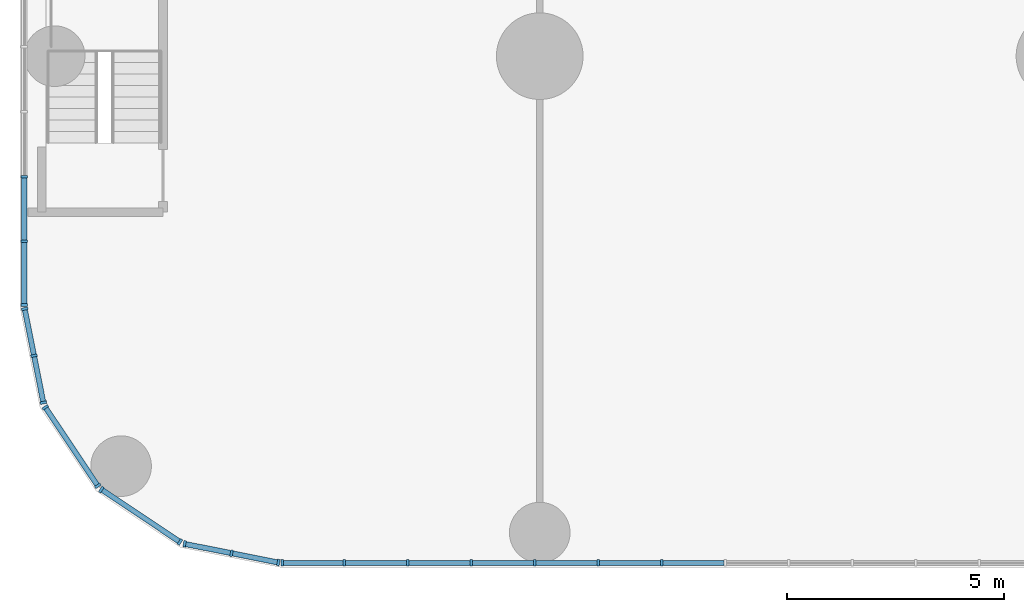
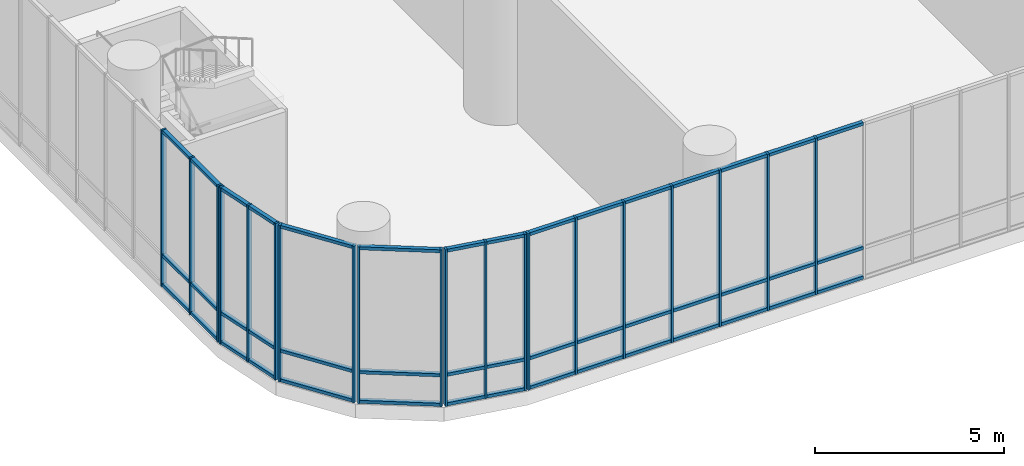
# One storey, part 2 of 28: 65 members, 6 elements without a shape of their own.
"""IFC4 building model written with IfcOpenShell, lengths in metres."""

from ifc_helpers import new_model, si_unit, direction, frame, origin, origin_2d, place, context, subcontext, project, spatial, rectangle, extrude, material, layer, layer_set, material_profile, profile_set, type_object, element, aggregate, save


model = new_model("IFC4")

# Units and contexts
model_context = context("Model", 3, precision=1e-05, world=origin(), true_north=direction((0.0, 1.0)))
body_context = subcontext(model_context, "Body", "Model", "MODEL_VIEW")
ifc_project = project(units=[si_unit("LENGTHUNIT", "METRE"), si_unit("AREAUNIT", "SQUARE_METRE"), si_unit("VOLUMEUNIT", "CUBIC_METRE"), si_unit("PLANEANGLEUNIT", "RADIAN"), si_unit("MASSUNIT", "GRAM", prefix="KILO")], contexts=[model_context])

# Site, building, storey
site_placement = place(None, origin())
site = spatial("IfcSite", under=ifc_project, at=site_placement, CompositionType="ELEMENT")
building_placement = place(site_placement, origin())
building = spatial("IfcBuilding", under=site, at=building_placement, Name="Torana Hotel and Residences", CompositionType="ELEMENT")
storey_placement = place(building_placement, frame((0.0, 0.0, 7.0)))
storey = spatial("IfcBuildingStorey", under=building, at=storey_placement, Name="L01", CompositionType="ELEMENT", Elevation=7.0)

# Curtain wall, members
ifc_material_1 = material(Name="Dark anodised aluminium", Category="aluminium")
ifc_layer = layer(ifc_material_1, 0.14990234375)
ifc_layer_set = layer_set([ifc_layer], Name="CW5 PODIUM UPPER UNITISED CURTAIN WALL")
curtain_wall_type = type_object("IfcCurtainWallType", Name="CW5 PODIUM UPPER UNITISED CURTAIN WALL", PredefinedType="NOTDEFINED", material=ifc_layer_set)
curtain_wall_1_placement = place(storey_placement, origin())
curtain_wall_1 = element("IfcCurtainWall", 1, at=curtain_wall_1_placement, inside=storey, type_object=curtain_wall_type, Name="Curtain wall CW5 L01 e0.0", PredefinedType="NOTDEFINED")
ifc_material_2 = material(Name="Dark anodised aluminium", Category="aluminium")
ifc_material_profile_1 = material_profile(ifc_material_2, rectangle(XDim=0.14990234375, YDim=0.06005859375, at=origin_2d()), Name="CW5 MULLION 60x150")
ifc_profile_set_1 = profile_set([ifc_material_profile_1], Name="Dark anodised aluminium")
member_type_1 = type_object("IfcMemberType", Name="CW5 MULLION 60x150", PredefinedType="MULLION", material=ifc_profile_set_1)
member_1_placement = place(storey_placement, frame((-41.9453125, -39.89990234375, 0.0), z_axis=(0.0, 0.0, 1.0), x_axis=(0.0, 1.0, 0.0)))
member_1 = element("IfcMember", 2, at=member_1_placement, type_object=member_type_1, Name="CW5 mullion 1", PredefinedType="MULLION", context=body_context, shape_type="SweptSolid", body=[
    extrude(rectangle(XDim=0.14990234375, YDim=0.06005859375, at=origin_2d()), origin(), (0.0, 0.0, 1.0), 5.050048828125),
])
member_2_placement = place(storey_placement, frame((-40.510009765625, -39.89990234375, 0.0), z_axis=(0.0, 0.0, 1.0), x_axis=(0.0, 1.0, 0.0)))
member_2 = element("IfcMember", 3, at=member_2_placement, type_object=member_type_1, Name="CW5 mullion 2", PredefinedType="MULLION", context=body_context, shape_type="SweptSolid", body=[
    extrude(rectangle(XDim=0.14990234375, YDim=0.06005859375, at=origin_2d()), origin(), (0.0, 0.0, 1.0), 5.050048828125),
])
member_3_placement = place(storey_placement, frame((-39.04443359375, -39.89990234375, 0.0), z_axis=(0.0, 0.0, 1.0), x_axis=(0.0, 1.0, 0.0)))
member_3 = element("IfcMember", 4, at=member_3_placement, type_object=member_type_1, Name="CW5 mullion 3", PredefinedType="MULLION", context=body_context, shape_type="SweptSolid", body=[
    extrude(rectangle(XDim=0.14990234375, YDim=0.06005859375, at=origin_2d()), origin(), (0.0, 0.0, 1.0), 5.050048828125),
])
member_4_placement = place(storey_placement, frame((-37.578857421875, -39.89990234375, 0.0), z_axis=(0.0, 0.0, 1.0), x_axis=(0.0, 1.0, 0.0)))
member_4 = element("IfcMember", 5, at=member_4_placement, type_object=member_type_1, Name="CW5 mullion 4", PredefinedType="MULLION", context=body_context, shape_type="SweptSolid", body=[
    extrude(rectangle(XDim=0.14990234375, YDim=0.06005859375, at=origin_2d()), origin(), (0.0, 0.0, 1.0), 5.050048828125),
])
member_5_placement = place(storey_placement, frame((-36.113525390625, -39.89990234375, 0.0), z_axis=(0.0, 0.0, 1.0), x_axis=(0.0, 1.0, 0.0)))
member_5 = element("IfcMember", 6, at=member_5_placement, type_object=member_type_1, Name="CW5 mullion 5", PredefinedType="MULLION", context=body_context, shape_type="SweptSolid", body=[
    extrude(rectangle(XDim=0.14990234375, YDim=0.06005859375, at=origin_2d()), origin(), (0.0, 0.0, 1.0), 5.050048828125),
])
member_6_placement = place(storey_placement, frame((-34.64794921875, -39.89990234375, 0.0), z_axis=(0.0, 0.0, 1.0), x_axis=(0.0, 1.0, 0.0)))
member_6 = element("IfcMember", 7, at=member_6_placement, type_object=member_type_1, Name="CW5 mullion 6", PredefinedType="MULLION", context=body_context, shape_type="SweptSolid", body=[
    extrude(rectangle(XDim=0.14990234375, YDim=0.06005859375, at=origin_2d()), origin(), (0.0, 0.0, 1.0), 5.050048828125),
])
member_7_placement = place(storey_placement, frame((-33.182373046875, -39.89990234375, 0.0), z_axis=(0.0, 0.0, 1.0), x_axis=(0.0, 1.0, 0.0)))
member_7 = element("IfcMember", 8, at=member_7_placement, type_object=member_type_1, Name="CW5 mullion 7", PredefinedType="MULLION", context=body_context, shape_type="SweptSolid", body=[
    extrude(rectangle(XDim=0.14990234375, YDim=0.06005859375, at=origin_2d()), origin(), (0.0, 0.0, 1.0), 5.050048828125),
])

curtain_wall_2_placement = place(storey_placement, origin())
curtain_wall_2 = element("IfcCurtainWall", 9, at=curtain_wall_2_placement, inside=storey, type_object=curtain_wall_type, Name="Curtain wall CW5 L01 e0.7", PredefinedType="NOTDEFINED")
member_8_placement = place(storey_placement, frame((-47.89990234375, -30.9794921875, 0.0), z_axis=(0.0, 0.0, 1.0), x_axis=(1.0, 0.0, 0.0)))
member_8 = element("IfcMember", 10, at=member_8_placement, type_object=member_type_1, Name="CW5 mullion 23", PredefinedType="MULLION", context=body_context, shape_type="SweptSolid", body=[
    extrude(rectangle(XDim=0.14990234375, YDim=0.06005859375, at=origin_2d()), origin(), (0.0, 0.0, 1.0), 5.050048828125),
])
member_9_placement = place(storey_placement, frame((-47.89990234375, -32.4775390625, 0.0), z_axis=(0.0, 0.0, 1.0), x_axis=(1.0, 0.0, 0.0)))
member_9 = element("IfcMember", 11, at=member_9_placement, type_object=member_type_1, Name="CW5 mullion 24", PredefinedType="MULLION", context=body_context, shape_type="SweptSolid", body=[
    extrude(rectangle(XDim=0.14990234375, YDim=0.06005859375, at=origin_2d()), origin(), (0.0, 0.0, 1.0), 5.050048828125),
])
member_10_placement = place(storey_placement, frame((-47.89990234375, -33.9453125, 0.0), z_axis=(0.0, 0.0, 1.0), x_axis=(1.0, 0.0, 0.0)))
member_10 = element("IfcMember", 12, at=member_10_placement, type_object=member_type_1, Name="CW5 mullion 25", PredefinedType="MULLION", context=body_context, shape_type="SweptSolid", body=[
    extrude(rectangle(XDim=0.14990234375, YDim=0.06005859375, at=origin_2d()), origin(), (0.0, 0.0, 1.0), 5.050048828125),
])

curtain_wall_3_placement = place(storey_placement, origin())
curtain_wall_3 = element("IfcCurtainWall", 13, at=curtain_wall_3_placement, inside=storey, type_object=curtain_wall_type, Name="Curtain wall CW5 L01 e0.8", PredefinedType="NOTDEFINED")
member_11_placement = place(storey_placement, frame((-47.891357421875, -34.033935546875, 0.0), z_axis=(0.0, 0.0, 1.0), x_axis=(0.980787135335, 0.195080996415, 0.0)))
member_11 = element("IfcMember", 14, at=member_11_placement, type_object=member_type_1, Name="CW5 mullion 1", PredefinedType="MULLION", context=body_context, shape_type="SweptSolid", body=[
    extrude(rectangle(XDim=0.14990234375, YDim=0.06005859375, at=origin_2d()), origin(), (0.0, 0.0, 1.0), 5.050048828125),
])
member_12_placement = place(storey_placement, frame((-47.676025390625, -35.1162109375, 0.0), z_axis=(0.0, 0.0, 1.0), x_axis=(0.980787135335, 0.195080996415, 0.0)))
member_12 = element("IfcMember", 15, at=member_12_placement, type_object=member_type_1, Name="CW5 mullion 2", PredefinedType="MULLION", context=body_context, shape_type="SweptSolid", body=[
    extrude(rectangle(XDim=0.14990234375, YDim=0.06005859375, at=origin_2d()), origin(), (0.0, 0.0, 1.0), 5.050048828125),
])
member_13_placement = place(storey_placement, frame((-47.460693359375, -36.198486328125, 0.0), z_axis=(0.0, 0.0, 1.0), x_axis=(0.980787135335, 0.195080996415, 0.0)))
member_13 = element("IfcMember", 16, at=member_13_placement, type_object=member_type_1, Name="CW5 mullion 3", PredefinedType="MULLION", context=body_context, shape_type="SweptSolid", body=[
    extrude(rectangle(XDim=0.14990234375, YDim=0.06005859375, at=origin_2d()), origin(), (0.0, 0.0, 1.0), 5.050048828125),
])

curtain_wall_4_placement = place(storey_placement, origin())
curtain_wall_4 = element("IfcCurtainWall", 17, at=curtain_wall_4_placement, inside=storey, type_object=curtain_wall_type, Name="Curtain wall CW5 L01 e0.9", PredefinedType="NOTDEFINED")
member_14_placement = place(storey_placement, frame((-47.415771484375, -36.306884765625, 0.0), z_axis=(0.0, 0.0, 1.0), x_axis=(0.831459585616, 0.555585238723, 0.0)))
member_14 = element("IfcMember", 18, at=member_14_placement, type_object=member_type_1, Name="CW5 mullion 1", PredefinedType="MULLION", context=body_context, shape_type="SweptSolid", body=[
    extrude(rectangle(XDim=0.14990234375, YDim=0.06005859375, at=origin_2d()), origin(), (0.0, 0.0, 1.0), 5.050048828125),
])
member_15_placement = place(storey_placement, frame((-46.203857421875, -38.120849609375, 0.0), z_axis=(0.0, 0.0, 1.0), x_axis=(0.831459585616, 0.555585238723, 0.0)))
member_15 = element("IfcMember", 19, at=member_15_placement, type_object=member_type_1, Name="CW5 mullion 2", PredefinedType="MULLION", context=body_context, shape_type="SweptSolid", body=[
    extrude(rectangle(XDim=0.14990234375, YDim=0.06005859375, at=origin_2d()), origin(), (0.0, 0.0, 1.0), 5.050048828125),
])

curtain_wall_5_placement = place(storey_placement, origin())
curtain_wall_5 = element("IfcCurtainWall", 20, at=curtain_wall_5_placement, inside=storey, type_object=curtain_wall_type, Name="Curtain wall CW5 L01 e0.10", PredefinedType="NOTDEFINED")
member_16_placement = place(storey_placement, frame((-46.120849609375, -38.203857421875, 0.0), z_axis=(0.0, 0.0, 1.0), x_axis=(0.555585238723, 0.831459585616, 0.0)))
member_16 = element("IfcMember", 21, at=member_16_placement, type_object=member_type_1, Name="CW5 mullion 1", PredefinedType="MULLION", context=body_context, shape_type="SweptSolid", body=[
    extrude(rectangle(XDim=0.14990234375, YDim=0.06005859375, at=origin_2d()), origin(), (0.0, 0.0, 1.0), 5.050048828125),
])
member_17_placement = place(storey_placement, frame((-44.306884765625, -39.415771484375, 0.0), z_axis=(0.0, 0.0, 1.0), x_axis=(0.555585238723, 0.831459585616, 0.0)))
member_17 = element("IfcMember", 22, at=member_17_placement, type_object=member_type_1, Name="CW5 mullion 2", PredefinedType="MULLION", context=body_context, shape_type="SweptSolid", body=[
    extrude(rectangle(XDim=0.14990234375, YDim=0.06005859375, at=origin_2d()), origin(), (0.0, 0.0, 1.0), 5.050048828125),
])

curtain_wall_6_placement = place(storey_placement, origin())
curtain_wall_6 = element("IfcCurtainWall", 23, at=curtain_wall_6_placement, inside=storey, type_object=curtain_wall_type, Name="Curtain wall CW5 L01 e0.11", PredefinedType="NOTDEFINED")
member_18_placement = place(storey_placement, frame((-44.198486328125, -39.460693359375, 0.0), z_axis=(0.0, 0.0, 1.0), x_axis=(0.195080996415, 0.980787135335, 0.0)))
member_18 = element("IfcMember", 24, at=member_18_placement, type_object=member_type_1, Name="CW5 mullion 1", PredefinedType="MULLION", context=body_context, shape_type="SweptSolid", body=[
    extrude(rectangle(XDim=0.14990234375, YDim=0.06005859375, at=origin_2d()), origin(), (0.0, 0.0, 1.0), 5.050048828125),
])
member_19_placement = place(storey_placement, frame((-43.1162109375, -39.676025390625, 0.0), z_axis=(0.0, 0.0, 1.0), x_axis=(0.195080996415, 0.980787135335, 0.0)))
member_19 = element("IfcMember", 25, at=member_19_placement, type_object=member_type_1, Name="CW5 mullion 2", PredefinedType="MULLION", context=body_context, shape_type="SweptSolid", body=[
    extrude(rectangle(XDim=0.14990234375, YDim=0.06005859375, at=origin_2d()), origin(), (0.0, 0.0, 1.0), 5.050048828125),
])
member_20_placement = place(storey_placement, frame((-42.033935546875, -39.891357421875, 0.0), z_axis=(0.0, 0.0, 1.0), x_axis=(0.195080996415, 0.980787135335, 0.0)))
member_20 = element("IfcMember", 26, at=member_20_placement, type_object=member_type_1, Name="CW5 mullion 3", PredefinedType="MULLION", context=body_context, shape_type="SweptSolid", body=[
    extrude(rectangle(XDim=0.14990234375, YDim=0.06005859375, at=origin_2d()), origin(), (0.0, 0.0, 1.0), 5.050048828125),
])

# Member
ifc_material_3 = material(Name="Dark anodised aluminium", Category="aluminium")
ifc_material_profile_2 = material_profile(ifc_material_3, rectangle(XDim=0.1201171875, YDim=0.10009765625, at=origin_2d()), Name="CW5 TRANSOM 120x100")
ifc_profile_set_2 = profile_set([ifc_material_profile_2], Name="Dark anodised aluminium")
member_type_2 = type_object("IfcMemberType", Name="CW5 TRANSOM 120x100", PredefinedType="USERDEFINED", material=ifc_profile_set_2)
member_21_placement = place(storey_placement, frame((-41.915283203125, -39.89990234375, 0.050048828125), z_axis=(1.0, 0.0, 0.0), x_axis=(0.0, 1.0, 0.0)))
member_21 = element("IfcMember", 27, at=member_21_placement, type_object=member_type_2, Name="CW5 transom 1.1", ObjectType="TRANSOM", PredefinedType="USERDEFINED", context=body_context, shape_type="SweptSolid", body=[
    extrude(rectangle(XDim=0.1201171875, YDim=0.10009765625, at=origin_2d()), origin(), (0.0, 0.0, 1.0), 1.37548828125),
])

member_22_placement = place(storey_placement, frame((-41.915283203125, -39.89990234375, 1.0), z_axis=(1.0, 0.0, 0.0), x_axis=(0.0, 1.0, 0.0)))
member_22 = element("IfcMember", 28, at=member_22_placement, type_object=member_type_2, Name="CW5 transom 1.2", ObjectType="TRANSOM", PredefinedType="USERDEFINED", context=body_context, shape_type="SweptSolid", body=[
    extrude(rectangle(XDim=0.1201171875, YDim=0.10009765625, at=origin_2d()), origin(), (0.0, 0.0, 1.0), 1.37548828125),
])

member_23_placement = place(storey_placement, frame((-41.915283203125, -39.89990234375, 5.0), z_axis=(1.0, 0.0, 0.0), x_axis=(0.0, 1.0, 0.0)))
member_23 = element("IfcMember", 29, at=member_23_placement, type_object=member_type_2, Name="CW5 transom 1.3", ObjectType="TRANSOM", PredefinedType="USERDEFINED", context=body_context, shape_type="SweptSolid", body=[
    extrude(rectangle(XDim=0.1201171875, YDim=0.10009765625, at=origin_2d()), origin(), (0.0, 0.0, 1.0), 1.37548828125),
])

member_24_placement = place(storey_placement, frame((-40.47998046875, -39.89990234375, 0.050048828125), z_axis=(1.0, 0.0, 0.0), x_axis=(0.0, 1.0, 0.0)))
member_24 = element("IfcMember", 30, at=member_24_placement, type_object=member_type_2, Name="CW5 transom 2.1", ObjectType="TRANSOM", PredefinedType="USERDEFINED", context=body_context, shape_type="SweptSolid", body=[
    extrude(rectangle(XDim=0.1201171875, YDim=0.10009765625, at=origin_2d()), origin(), (0.0, 0.0, 1.0), 1.405517578125),
])

member_25_placement = place(storey_placement, frame((-40.47998046875, -39.89990234375, 1.0), z_axis=(1.0, 0.0, 0.0), x_axis=(0.0, 1.0, 0.0)))
member_25 = element("IfcMember", 31, at=member_25_placement, type_object=member_type_2, Name="CW5 transom 2.2", ObjectType="TRANSOM", PredefinedType="USERDEFINED", context=body_context, shape_type="SweptSolid", body=[
    extrude(rectangle(XDim=0.1201171875, YDim=0.10009765625, at=origin_2d()), origin(), (0.0, 0.0, 1.0), 1.405517578125),
])

member_26_placement = place(storey_placement, frame((-40.47998046875, -39.89990234375, 5.0), z_axis=(1.0, 0.0, 0.0), x_axis=(0.0, 1.0, 0.0)))
member_26 = element("IfcMember", 32, at=member_26_placement, type_object=member_type_2, Name="CW5 transom 2.3", ObjectType="TRANSOM", PredefinedType="USERDEFINED", context=body_context, shape_type="SweptSolid", body=[
    extrude(rectangle(XDim=0.1201171875, YDim=0.10009765625, at=origin_2d()), origin(), (0.0, 0.0, 1.0), 1.405517578125),
])

member_27_placement = place(storey_placement, frame((-39.014404296875, -39.89990234375, 0.050048828125), z_axis=(1.0, 0.0, 0.0), x_axis=(0.0, 1.0, 0.0)))
member_27 = element("IfcMember", 33, at=member_27_placement, type_object=member_type_2, Name="CW5 transom 3.1", ObjectType="TRANSOM", PredefinedType="USERDEFINED", context=body_context, shape_type="SweptSolid", body=[
    extrude(rectangle(XDim=0.1201171875, YDim=0.10009765625, at=origin_2d()), origin(), (0.0, 0.0, 1.0), 1.405517578125),
])

member_28_placement = place(storey_placement, frame((-39.014404296875, -39.89990234375, 1.0), z_axis=(1.0, 0.0, 0.0), x_axis=(0.0, 1.0, 0.0)))
member_28 = element("IfcMember", 34, at=member_28_placement, type_object=member_type_2, Name="CW5 transom 3.2", ObjectType="TRANSOM", PredefinedType="USERDEFINED", context=body_context, shape_type="SweptSolid", body=[
    extrude(rectangle(XDim=0.1201171875, YDim=0.10009765625, at=origin_2d()), origin(), (0.0, 0.0, 1.0), 1.405517578125),
])

member_29_placement = place(storey_placement, frame((-39.014404296875, -39.89990234375, 5.0), z_axis=(1.0, 0.0, 0.0), x_axis=(0.0, 1.0, 0.0)))
member_29 = element("IfcMember", 35, at=member_29_placement, type_object=member_type_2, Name="CW5 transom 3.3", ObjectType="TRANSOM", PredefinedType="USERDEFINED", context=body_context, shape_type="SweptSolid", body=[
    extrude(rectangle(XDim=0.1201171875, YDim=0.10009765625, at=origin_2d()), origin(), (0.0, 0.0, 1.0), 1.405517578125),
])

member_30_placement = place(storey_placement, frame((-37.548828125, -39.89990234375, 0.050048828125), z_axis=(1.0, 0.0, 0.0), x_axis=(0.0, 1.0, 0.0)))
member_30 = element("IfcMember", 36, at=member_30_placement, type_object=member_type_2, Name="CW5 transom 4.1", ObjectType="TRANSOM", PredefinedType="USERDEFINED", context=body_context, shape_type="SweptSolid", body=[
    extrude(rectangle(XDim=0.1201171875, YDim=0.10009765625, at=origin_2d()), origin(), (0.0, 0.0, 1.0), 1.405517578125),
])

member_31_placement = place(storey_placement, frame((-37.548828125, -39.89990234375, 1.0), z_axis=(1.0, 0.0, 0.0), x_axis=(0.0, 1.0, 0.0)))
member_31 = element("IfcMember", 37, at=member_31_placement, type_object=member_type_2, Name="CW5 transom 4.2", ObjectType="TRANSOM", PredefinedType="USERDEFINED", context=body_context, shape_type="SweptSolid", body=[
    extrude(rectangle(XDim=0.1201171875, YDim=0.10009765625, at=origin_2d()), origin(), (0.0, 0.0, 1.0), 1.405517578125),
])

member_32_placement = place(storey_placement, frame((-37.548828125, -39.89990234375, 5.0), z_axis=(1.0, 0.0, 0.0), x_axis=(0.0, 1.0, 0.0)))
member_32 = element("IfcMember", 38, at=member_32_placement, type_object=member_type_2, Name="CW5 transom 4.3", ObjectType="TRANSOM", PredefinedType="USERDEFINED", context=body_context, shape_type="SweptSolid", body=[
    extrude(rectangle(XDim=0.1201171875, YDim=0.10009765625, at=origin_2d()), origin(), (0.0, 0.0, 1.0), 1.405517578125),
])

member_33_placement = place(storey_placement, frame((-36.08349609375, -39.89990234375, 0.050048828125), z_axis=(1.0, 0.0, 0.0), x_axis=(0.0, 1.0, 0.0)))
member_33 = element("IfcMember", 39, at=member_33_placement, type_object=member_type_2, Name="CW5 transom 5.1", ObjectType="TRANSOM", PredefinedType="USERDEFINED", context=body_context, shape_type="SweptSolid", body=[
    extrude(rectangle(XDim=0.1201171875, YDim=0.10009765625, at=origin_2d()), origin(), (0.0, 0.0, 1.0), 1.405517578125),
])

member_34_placement = place(storey_placement, frame((-36.08349609375, -39.89990234375, 1.0), z_axis=(1.0, 0.0, 0.0), x_axis=(0.0, 1.0, 0.0)))
member_34 = element("IfcMember", 40, at=member_34_placement, type_object=member_type_2, Name="CW5 transom 5.2", ObjectType="TRANSOM", PredefinedType="USERDEFINED", context=body_context, shape_type="SweptSolid", body=[
    extrude(rectangle(XDim=0.1201171875, YDim=0.10009765625, at=origin_2d()), origin(), (0.0, 0.0, 1.0), 1.405517578125),
])

member_35_placement = place(storey_placement, frame((-36.08349609375, -39.89990234375, 5.0), z_axis=(1.0, 0.0, 0.0), x_axis=(0.0, 1.0, 0.0)))
member_35 = element("IfcMember", 41, at=member_35_placement, type_object=member_type_2, Name="CW5 transom 5.3", ObjectType="TRANSOM", PredefinedType="USERDEFINED", context=body_context, shape_type="SweptSolid", body=[
    extrude(rectangle(XDim=0.1201171875, YDim=0.10009765625, at=origin_2d()), origin(), (0.0, 0.0, 1.0), 1.405517578125),
])

member_36_placement = place(storey_placement, frame((-34.617919921875, -39.89990234375, 0.050048828125), z_axis=(1.0, 0.0, 0.0), x_axis=(0.0, 1.0, 0.0)))
member_36 = element("IfcMember", 42, at=member_36_placement, type_object=member_type_2, Name="CW5 transom 6.1", ObjectType="TRANSOM", PredefinedType="USERDEFINED", context=body_context, shape_type="SweptSolid", body=[
    extrude(rectangle(XDim=0.1201171875, YDim=0.10009765625, at=origin_2d()), origin(), (0.0, 0.0, 1.0), 1.405517578125),
])

member_37_placement = place(storey_placement, frame((-34.617919921875, -39.89990234375, 1.0), z_axis=(1.0, 0.0, 0.0), x_axis=(0.0, 1.0, 0.0)))
member_37 = element("IfcMember", 43, at=member_37_placement, type_object=member_type_2, Name="CW5 transom 6.2", ObjectType="TRANSOM", PredefinedType="USERDEFINED", context=body_context, shape_type="SweptSolid", body=[
    extrude(rectangle(XDim=0.1201171875, YDim=0.10009765625, at=origin_2d()), origin(), (0.0, 0.0, 1.0), 1.405517578125),
])

member_38_placement = place(storey_placement, frame((-34.617919921875, -39.89990234375, 5.0), z_axis=(1.0, 0.0, 0.0), x_axis=(0.0, 1.0, 0.0)))
member_38 = element("IfcMember", 44, at=member_38_placement, type_object=member_type_2, Name="CW5 transom 6.3", ObjectType="TRANSOM", PredefinedType="USERDEFINED", context=body_context, shape_type="SweptSolid", body=[
    extrude(rectangle(XDim=0.1201171875, YDim=0.10009765625, at=origin_2d()), origin(), (0.0, 0.0, 1.0), 1.405517578125),
])

member_39_placement = place(storey_placement, frame((-33.15234375, -39.89990234375, 0.050048828125), z_axis=(1.0, 0.0, 0.0), x_axis=(0.0, 1.0, 0.0)))
member_39 = element("IfcMember", 45, at=member_39_placement, type_object=member_type_2, Name="CW5 transom 7.1", ObjectType="TRANSOM", PredefinedType="USERDEFINED", context=body_context, shape_type="SweptSolid", body=[
    extrude(rectangle(XDim=0.1201171875, YDim=0.10009765625, at=origin_2d()), origin(), (0.0, 0.0, 1.0), 1.405517578125),
])

member_40_placement = place(storey_placement, frame((-33.15234375, -39.89990234375, 1.0), z_axis=(1.0, 0.0, 0.0), x_axis=(0.0, 1.0, 0.0)))
member_40 = element("IfcMember", 46, at=member_40_placement, type_object=member_type_2, Name="CW5 transom 7.2", ObjectType="TRANSOM", PredefinedType="USERDEFINED", context=body_context, shape_type="SweptSolid", body=[
    extrude(rectangle(XDim=0.1201171875, YDim=0.10009765625, at=origin_2d()), origin(), (0.0, 0.0, 1.0), 1.405517578125),
])

member_41_placement = place(storey_placement, frame((-33.15234375, -39.89990234375, 5.0), z_axis=(1.0, 0.0, 0.0), x_axis=(0.0, 1.0, 0.0)))
member_41 = element("IfcMember", 47, at=member_41_placement, type_object=member_type_2, Name="CW5 transom 7.3", ObjectType="TRANSOM", PredefinedType="USERDEFINED", context=body_context, shape_type="SweptSolid", body=[
    extrude(rectangle(XDim=0.1201171875, YDim=0.10009765625, at=origin_2d()), origin(), (0.0, 0.0, 1.0), 1.405517578125),
])

aggregate(curtain_wall_1, [member_1, member_2, member_3, member_4, member_5, member_6, member_7, member_21, member_22, member_23, member_24, member_25, member_26, member_27, member_28, member_29, member_30, member_31, member_32, member_33, member_34, member_35, member_36, member_37, member_38, member_39, member_40, member_41])

member_42_placement = place(storey_placement, frame((-47.89990234375, -31.009521484375, 0.050048828125), z_axis=(0.0, -1.0, 0.0), x_axis=(1.0, 0.0, 0.0)))
member_42 = element("IfcMember", 48, at=member_42_placement, type_object=member_type_2, Name="CW5 transom 23.1", ObjectType="TRANSOM", PredefinedType="USERDEFINED", context=body_context, shape_type="SweptSolid", body=[
    extrude(rectangle(XDim=0.1201171875, YDim=0.10009765625, at=origin_2d()), origin(), (0.0, 0.0, 1.0), 1.43798828125),
])

member_43_placement = place(storey_placement, frame((-47.89990234375, -31.009521484375, 1.0), z_axis=(0.0, -1.0, 0.0), x_axis=(1.0, 0.0, 0.0)))
member_43 = element("IfcMember", 49, at=member_43_placement, type_object=member_type_2, Name="CW5 transom 23.2", ObjectType="TRANSOM", PredefinedType="USERDEFINED", context=body_context, shape_type="SweptSolid", body=[
    extrude(rectangle(XDim=0.1201171875, YDim=0.10009765625, at=origin_2d()), origin(), (0.0, 0.0, 1.0), 1.43798828125),
])

member_44_placement = place(storey_placement, frame((-47.89990234375, -31.009521484375, 5.0), z_axis=(0.0, -1.0, 0.0), x_axis=(1.0, 0.0, 0.0)))
member_44 = element("IfcMember", 50, at=member_44_placement, type_object=member_type_2, Name="CW5 transom 23.3", ObjectType="TRANSOM", PredefinedType="USERDEFINED", context=body_context, shape_type="SweptSolid", body=[
    extrude(rectangle(XDim=0.1201171875, YDim=0.10009765625, at=origin_2d()), origin(), (0.0, 0.0, 1.0), 1.43798828125),
])

member_45_placement = place(storey_placement, frame((-47.89990234375, -32.507568359375, 0.050048828125), z_axis=(0.0, -1.0, 0.0), x_axis=(1.0, 0.0, 0.0)))
member_45 = element("IfcMember", 51, at=member_45_placement, type_object=member_type_2, Name="CW5 transom 24.1", ObjectType="TRANSOM", PredefinedType="USERDEFINED", context=body_context, shape_type="SweptSolid", body=[
    extrude(rectangle(XDim=0.1201171875, YDim=0.10009765625, at=origin_2d()), origin(), (0.0, 0.0, 1.0), 1.40771484375),
])

member_46_placement = place(storey_placement, frame((-47.89990234375, -32.507568359375, 1.0), z_axis=(0.0, -1.0, 0.0), x_axis=(1.0, 0.0, 0.0)))
member_46 = element("IfcMember", 52, at=member_46_placement, type_object=member_type_2, Name="CW5 transom 24.2", ObjectType="TRANSOM", PredefinedType="USERDEFINED", context=body_context, shape_type="SweptSolid", body=[
    extrude(rectangle(XDim=0.1201171875, YDim=0.10009765625, at=origin_2d()), origin(), (0.0, 0.0, 1.0), 1.40771484375),
])

member_47_placement = place(storey_placement, frame((-47.89990234375, -32.507568359375, 5.0), z_axis=(0.0, -1.0, 0.0), x_axis=(1.0, 0.0, 0.0)))
member_47 = element("IfcMember", 53, at=member_47_placement, type_object=member_type_2, Name="CW5 transom 24.3", ObjectType="TRANSOM", PredefinedType="USERDEFINED", context=body_context, shape_type="SweptSolid", body=[
    extrude(rectangle(XDim=0.1201171875, YDim=0.10009765625, at=origin_2d()), origin(), (0.0, 0.0, 1.0), 1.40771484375),
])

aggregate(curtain_wall_2, [member_8, member_9, member_10, member_42, member_43, member_44, member_45, member_46, member_47])

member_48_placement = place(storey_placement, frame((-47.885498046875, -34.0634765625, 0.050048828125), z_axis=(0.195170971557, -0.980769234765, 0.0), x_axis=(0.980769234765, 0.195170971557, 0.0)))
member_48 = element("IfcMember", 54, at=member_48_placement, type_object=member_type_2, Name="CW5 transom 1.1", ObjectType="TRANSOM", PredefinedType="USERDEFINED", context=body_context, shape_type="SweptSolid", body=[
    extrude(rectangle(XDim=0.1201171875, YDim=0.10009765625, at=origin_2d()), origin(), (0.0, 0.0, 1.0), 1.043212890625),
])

member_49_placement = place(storey_placement, frame((-47.885498046875, -34.0634765625, 1.0), z_axis=(0.195170971557, -0.980769234765, 0.0), x_axis=(0.980769234765, 0.195170971557, 0.0)))
member_49 = element("IfcMember", 55, at=member_49_placement, type_object=member_type_2, Name="CW5 transom 1.2", ObjectType="TRANSOM", PredefinedType="USERDEFINED", context=body_context, shape_type="SweptSolid", body=[
    extrude(rectangle(XDim=0.1201171875, YDim=0.10009765625, at=origin_2d()), origin(), (0.0, 0.0, 1.0), 1.043212890625),
])

member_50_placement = place(storey_placement, frame((-47.885498046875, -34.0634765625, 5.0), z_axis=(0.195170971557, -0.980769234765, 0.0), x_axis=(0.980769234765, 0.195170971557, 0.0)))
member_50 = element("IfcMember", 56, at=member_50_placement, type_object=member_type_2, Name="CW5 transom 1.3", ObjectType="TRANSOM", PredefinedType="USERDEFINED", context=body_context, shape_type="SweptSolid", body=[
    extrude(rectangle(XDim=0.1201171875, YDim=0.10009765625, at=origin_2d()), origin(), (0.0, 0.0, 1.0), 1.043212890625),
])

member_51_placement = place(storey_placement, frame((-47.670166015625, -35.1455078125, 0.050048828125), z_axis=(0.195126186458, -0.980778145841, 0.0), x_axis=(0.980778145841, 0.195126186458, 0.0)))
member_51 = element("IfcMember", 57, at=member_51_placement, type_object=member_type_2, Name="CW5 transom 2.1", ObjectType="TRANSOM", PredefinedType="USERDEFINED", context=body_context, shape_type="SweptSolid", body=[
    extrude(rectangle(XDim=0.1201171875, YDim=0.10009765625, at=origin_2d()), origin(), (0.0, 0.0, 1.0), 1.04345703125),
])

member_52_placement = place(storey_placement, frame((-47.670166015625, -35.1455078125, 1.0), z_axis=(0.195126186458, -0.980778145841, 0.0), x_axis=(0.980778145841, 0.195126186458, 0.0)))
member_52 = element("IfcMember", 58, at=member_52_placement, type_object=member_type_2, Name="CW5 transom 2.2", ObjectType="TRANSOM", PredefinedType="USERDEFINED", context=body_context, shape_type="SweptSolid", body=[
    extrude(rectangle(XDim=0.1201171875, YDim=0.10009765625, at=origin_2d()), origin(), (0.0, 0.0, 1.0), 1.04345703125),
])

member_53_placement = place(storey_placement, frame((-47.670166015625, -35.1455078125, 5.0), z_axis=(0.195126186458, -0.980778145841, 0.0), x_axis=(0.980778145841, 0.195126186458, 0.0)))
member_53 = element("IfcMember", 59, at=member_53_placement, type_object=member_type_2, Name="CW5 transom 2.3", ObjectType="TRANSOM", PredefinedType="USERDEFINED", context=body_context, shape_type="SweptSolid", body=[
    extrude(rectangle(XDim=0.1201171875, YDim=0.10009765625, at=origin_2d()), origin(), (0.0, 0.0, 1.0), 1.04345703125),
])

aggregate(curtain_wall_3, [member_11, member_12, member_13, member_48, member_49, member_50, member_51, member_52, member_53])

member_54_placement = place(storey_placement, frame((-47.399169921875, -36.331787109375, 0.050048828125), z_axis=(0.555602799403, -0.831447851219, 0.0), x_axis=(0.831447851219, 0.555602799403, 0.0)))
member_54 = element("IfcMember", 60, at=member_54_placement, type_object=member_type_2, Name="CW5 transom 1.1", ObjectType="TRANSOM", PredefinedType="USERDEFINED", context=body_context, shape_type="SweptSolid", body=[
    extrude(rectangle(XDim=0.1201171875, YDim=0.10009765625, at=origin_2d()), origin(), (0.0, 0.0, 1.0), 2.12158203125),
])

member_55_placement = place(storey_placement, frame((-47.399169921875, -36.331787109375, 1.0), z_axis=(0.555602799403, -0.831447851219, 0.0), x_axis=(0.831447851219, 0.555602799403, 0.0)))
member_55 = element("IfcMember", 61, at=member_55_placement, type_object=member_type_2, Name="CW5 transom 1.2", ObjectType="TRANSOM", PredefinedType="USERDEFINED", context=body_context, shape_type="SweptSolid", body=[
    extrude(rectangle(XDim=0.1201171875, YDim=0.10009765625, at=origin_2d()), origin(), (0.0, 0.0, 1.0), 2.12158203125),
])

member_56_placement = place(storey_placement, frame((-47.399169921875, -36.331787109375, 5.0), z_axis=(0.555602799403, -0.831447851219, 0.0), x_axis=(0.831447851219, 0.555602799403, 0.0)))
member_56 = element("IfcMember", 62, at=member_56_placement, type_object=member_type_2, Name="CW5 transom 1.3", ObjectType="TRANSOM", PredefinedType="USERDEFINED", context=body_context, shape_type="SweptSolid", body=[
    extrude(rectangle(XDim=0.1201171875, YDim=0.10009765625, at=origin_2d()), origin(), (0.0, 0.0, 1.0), 2.12158203125),
])

aggregate(curtain_wall_4, [member_14, member_15, member_54, member_55, member_56])

member_57_placement = place(storey_placement, frame((-46.095703125, -38.220458984375, 0.050048828125), z_axis=(0.831447851219, -0.555602799403, 0.0), x_axis=(0.555602799403, 0.831447851219, 0.0)))
member_57 = element("IfcMember", 63, at=member_57_placement, type_object=member_type_2, Name="CW5 transom 1.1", ObjectType="TRANSOM", PredefinedType="USERDEFINED", context=body_context, shape_type="SweptSolid", body=[
    extrude(rectangle(XDim=0.1201171875, YDim=0.10009765625, at=origin_2d()), origin(), (0.0, 0.0, 1.0), 2.12158203125),
])

member_58_placement = place(storey_placement, frame((-46.095703125, -38.220458984375, 1.0), z_axis=(0.831447851219, -0.555602799403, 0.0), x_axis=(0.555602799403, 0.831447851219, 0.0)))
member_58 = element("IfcMember", 64, at=member_58_placement, type_object=member_type_2, Name="CW5 transom 1.2", ObjectType="TRANSOM", PredefinedType="USERDEFINED", context=body_context, shape_type="SweptSolid", body=[
    extrude(rectangle(XDim=0.1201171875, YDim=0.10009765625, at=origin_2d()), origin(), (0.0, 0.0, 1.0), 2.12158203125),
])

member_59_placement = place(storey_placement, frame((-46.095703125, -38.220458984375, 5.0), z_axis=(0.831447851219, -0.555602799403, 0.0), x_axis=(0.555602799403, 0.831447851219, 0.0)))
member_59 = element("IfcMember", 65, at=member_59_placement, type_object=member_type_2, Name="CW5 transom 1.3", ObjectType="TRANSOM", PredefinedType="USERDEFINED", context=body_context, shape_type="SweptSolid", body=[
    extrude(rectangle(XDim=0.1201171875, YDim=0.10009765625, at=origin_2d()), origin(), (0.0, 0.0, 1.0), 2.12158203125),
])

aggregate(curtain_wall_5, [member_16, member_17, member_57, member_58, member_59])

member_60_placement = place(storey_placement, frame((-44.1689453125, -39.466552734375, 0.050048828125), z_axis=(0.980778145841, -0.195126186458, 0.0), x_axis=(0.195126186458, 0.980778145841, 0.0)))
member_60 = element("IfcMember", 66, at=member_60_placement, type_object=member_type_2, Name="CW5 transom 1.1", ObjectType="TRANSOM", PredefinedType="USERDEFINED", context=body_context, shape_type="SweptSolid", body=[
    extrude(rectangle(XDim=0.1201171875, YDim=0.10009765625, at=origin_2d()), origin(), (0.0, 0.0, 1.0), 1.04345703125),
])

member_61_placement = place(storey_placement, frame((-44.1689453125, -39.466552734375, 1.0), z_axis=(0.980778145841, -0.195126186458, 0.0), x_axis=(0.195126186458, 0.980778145841, 0.0)))
member_61 = element("IfcMember", 67, at=member_61_placement, type_object=member_type_2, Name="CW5 transom 1.2", ObjectType="TRANSOM", PredefinedType="USERDEFINED", context=body_context, shape_type="SweptSolid", body=[
    extrude(rectangle(XDim=0.1201171875, YDim=0.10009765625, at=origin_2d()), origin(), (0.0, 0.0, 1.0), 1.04345703125),
])

member_62_placement = place(storey_placement, frame((-44.1689453125, -39.466552734375, 5.0), z_axis=(0.980778145841, -0.195126186458, 0.0), x_axis=(0.195126186458, 0.980778145841, 0.0)))
member_62 = element("IfcMember", 68, at=member_62_placement, type_object=member_type_2, Name="CW5 transom 1.3", ObjectType="TRANSOM", PredefinedType="USERDEFINED", context=body_context, shape_type="SweptSolid", body=[
    extrude(rectangle(XDim=0.1201171875, YDim=0.10009765625, at=origin_2d()), origin(), (0.0, 0.0, 1.0), 1.04345703125),
])

member_63_placement = place(storey_placement, frame((-43.086669921875, -39.681884765625, 0.050048828125), z_axis=(0.980769234765, -0.195170971557, 0.0), x_axis=(0.195170971557, 0.980769234765, 0.0)))
member_63 = element("IfcMember", 69, at=member_63_placement, type_object=member_type_2, Name="CW5 transom 2.1", ObjectType="TRANSOM", PredefinedType="USERDEFINED", context=body_context, shape_type="SweptSolid", body=[
    extrude(rectangle(XDim=0.1201171875, YDim=0.10009765625, at=origin_2d()), origin(), (0.0, 0.0, 1.0), 1.043212890625),
])

member_64_placement = place(storey_placement, frame((-43.086669921875, -39.681884765625, 1.0), z_axis=(0.980769234765, -0.195170971557, 0.0), x_axis=(0.195170971557, 0.980769234765, 0.0)))
member_64 = element("IfcMember", 70, at=member_64_placement, type_object=member_type_2, Name="CW5 transom 2.2", ObjectType="TRANSOM", PredefinedType="USERDEFINED", context=body_context, shape_type="SweptSolid", body=[
    extrude(rectangle(XDim=0.1201171875, YDim=0.10009765625, at=origin_2d()), origin(), (0.0, 0.0, 1.0), 1.043212890625),
])

member_65_placement = place(storey_placement, frame((-43.086669921875, -39.681884765625, 5.0), z_axis=(0.980769234765, -0.195170971557, 0.0), x_axis=(0.195170971557, 0.980769234765, 0.0)))
member_65 = element("IfcMember", 71, at=member_65_placement, type_object=member_type_2, Name="CW5 transom 2.3", ObjectType="TRANSOM", PredefinedType="USERDEFINED", context=body_context, shape_type="SweptSolid", body=[
    extrude(rectangle(XDim=0.1201171875, YDim=0.10009765625, at=origin_2d()), origin(), (0.0, 0.0, 1.0), 1.043212890625),
])

aggregate(curtain_wall_6, [member_18, member_19, member_20, member_60, member_61, member_62, member_63, member_64, member_65])

save(model, "model.ifc")
